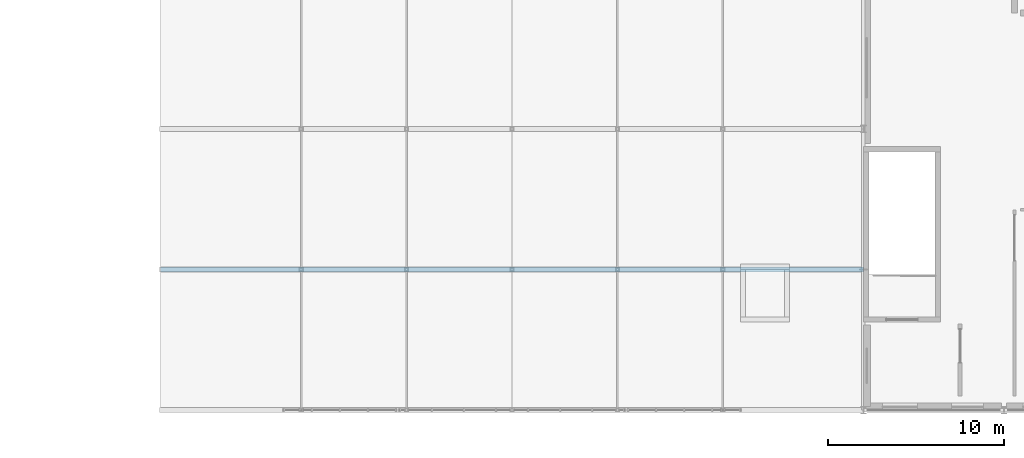
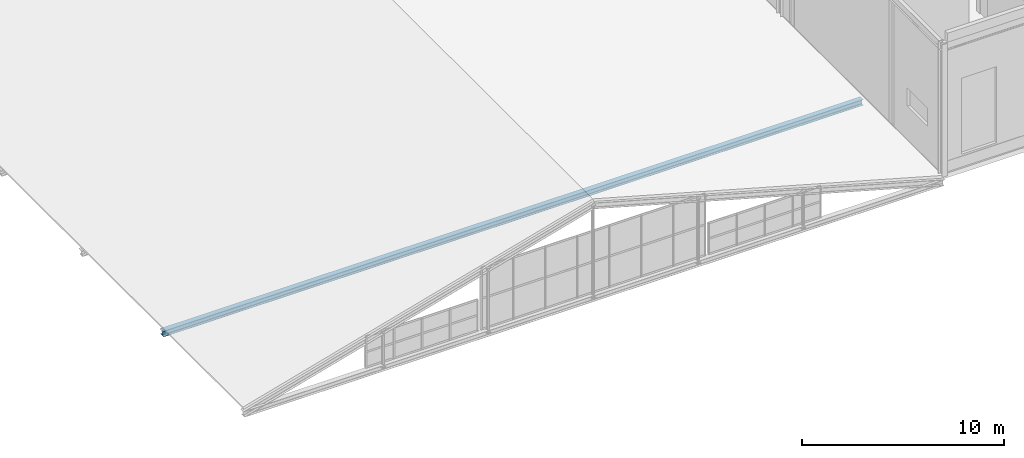
# One storey, part 12 of 49: 1 member.
"""IFC4 building model written with IfcOpenShell, lengths in metres."""

from ifc_helpers import new_model, si_unit, direction, frame, origin, origin_2d, place, context, subcontext, project, spatial, i_section, extrude, material, material_profile, profile_set, type_object, element, save


model = new_model("IFC4")

# Units and contexts
model_context = context("Model", 3, precision=1e-05, world=origin(), true_north=direction((0.0, 1.0)))
body_context = subcontext(model_context, "Body", "Model", "MODEL_VIEW")
ifc_project = project(units=[si_unit("LENGTHUNIT", "METRE"), si_unit("AREAUNIT", "SQUARE_METRE"), si_unit("VOLUMEUNIT", "CUBIC_METRE"), si_unit("PLANEANGLEUNIT", "RADIAN"), si_unit("MASSUNIT", "GRAM", prefix="KILO")], contexts=[model_context])

# Site, building, storey
site_placement = place(None, origin())
site = spatial("IfcSite", under=ifc_project, at=site_placement, CompositionType="ELEMENT")
building_placement = place(site_placement, origin())
building = spatial("IfcBuilding", under=site, at=building_placement, Name="Sundkrona Museum", CompositionType="ELEMENT")
storey_placement = place(building_placement, frame((0.0, 0.0, 26.0)))
storey = spatial("IfcBuildingStorey", under=building, at=storey_placement, Name="L05", CompositionType="ELEMENT", Elevation=26.0)

# Member
ifc_material = material(Name="Steel S355J2", Category="steel")
ifc_material_profile = material_profile(ifc_material, i_section(OverallWidth=0.300048828125, OverallDepth=0.35009765625, WebThickness=0.010009765625, FlangeThickness=0.017578125, FilletRadius=0.027099609375, at=origin_2d()), Name="HEA 360")
ifc_profile_set = profile_set([ifc_material_profile], Name="Steel S355J2")
member_type = type_object("IfcMemberType", Name="TC-HEA360", PredefinedType="CHORD", material=ifc_profile_set)
member_placement = place(storey_placement, frame((80.0, 8.0, -0.39990234375), z_axis=(1.0, 0.0, 0.0), x_axis=(0.0, 1.0, 0.0)))
element("IfcMember", 1, at=member_placement, inside=storey, type_object=member_type, Name="RFS-1 Atrium Truss 2 Continuous Tie Chord", PredefinedType="CHORD", context=body_context, shape_type="SweptSolid", body=[
    extrude(i_section(OverallWidth=0.300048828125, OverallDepth=0.35009765625, WebThickness=0.010009765625, FlangeThickness=0.017578125, FilletRadius=0.027099609375, at=origin_2d()), origin(), (0.0, 0.0, 1.0), 40.0),
])

save(model, "model.ifc")
